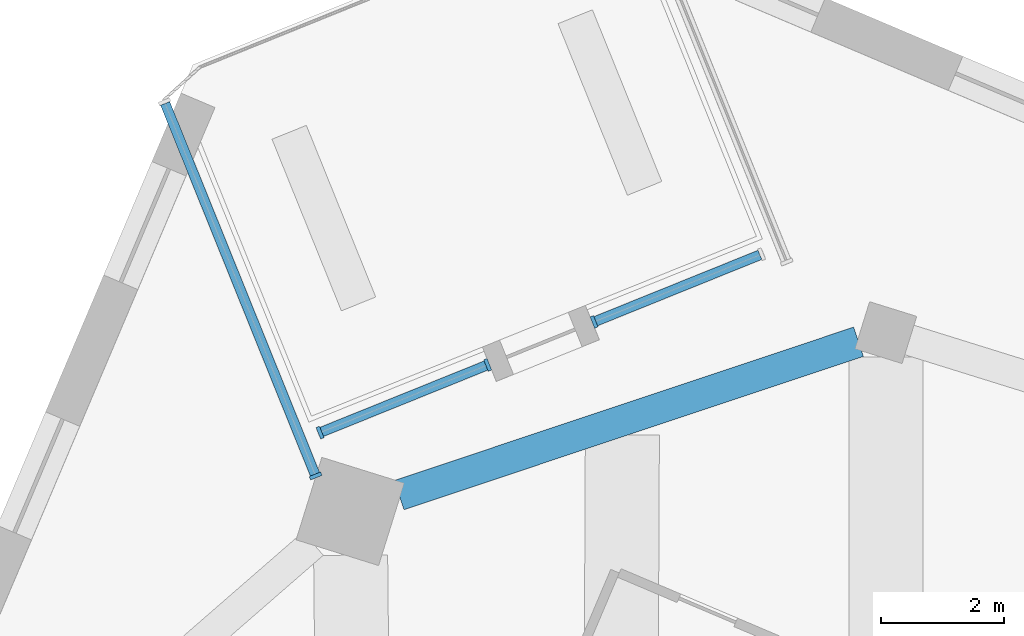
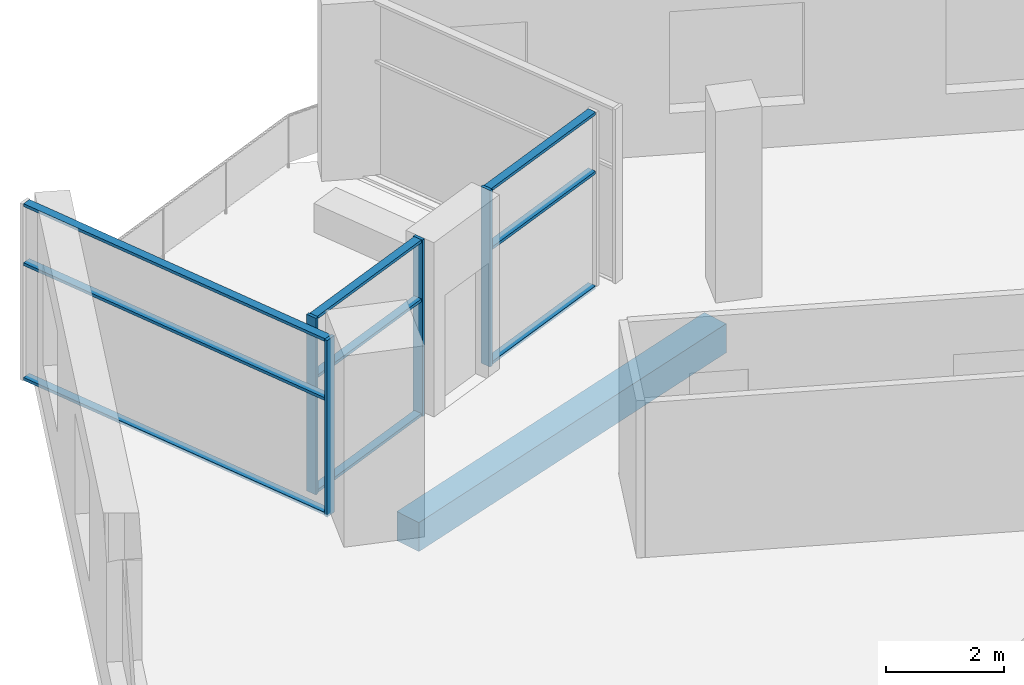
# One storey, part 2 of 13: 13 members, 1 beam, 3 elements without a shape of their own.
"""IFC4 building model written with IfcOpenShell, lengths in metres."""

from ifc_helpers import new_model, si_unit, direction, frame, origin, origin_2d, place, context, subcontext, project, spatial, rectangle, extrude, material, material_profile, profile_set, type_object, element, aggregate, save


model = new_model("IFC4")

# Units and contexts
model_context = context("Model", 3, precision=1e-05, world=origin(), true_north=direction((0.0, 1.0)))
body_context = subcontext(model_context, "Body", "Model", "MODEL_VIEW")
ifc_project = project(units=[si_unit("LENGTHUNIT", "METRE"), si_unit("AREAUNIT", "SQUARE_METRE"), si_unit("VOLUMEUNIT", "CUBIC_METRE"), si_unit("PLANEANGLEUNIT", "RADIAN"), si_unit("MASSUNIT", "GRAM", prefix="KILO")], contexts=[model_context])

# Site, building, storey
site_placement = place(None, origin())
site = spatial("IfcSite", under=ifc_project, at=site_placement, CompositionType="ELEMENT")
building_placement = place(site_placement, origin())
building = spatial("IfcBuilding", under=site, at=building_placement, Name="Dilmun Exchange Tower", CompositionType="ELEMENT")
storey_placement = place(building_placement, frame((0.0, 0.0, 300.5)))
storey = spatial("IfcBuildingStorey", under=building, at=storey_placement, Name="L71", CompositionType="ELEMENT", Elevation=300.5)

# Curtain wall, member
ifc_material_1 = material(Name="Anodised aluminium and clear glass", Category="aluminium")
curtain_wall_type = type_object("IfcCurtainWallType", Name="Garden corner glazing", PredefinedType="NOTDEFINED", material=ifc_material_1)
curtain_wall_1_placement = place(storey_placement, origin())
curtain_wall_1 = element("IfcCurtainWall", 1, at=curtain_wall_1_placement, inside=storey, type_object=curtain_wall_type, Name="Garden corner glazing run GC2.1", PredefinedType="NOTDEFINED")
ifc_material_2 = material(Name="Anodised aluminium", Category="aluminium")
ifc_material_profile_1 = material_profile(ifc_material_2, rectangle(XDim=0.199951171875, YDim=0.06005859375, at=origin_2d()), Name="AL 60x200")
ifc_profile_set_1 = profile_set([ifc_material_profile_1], Name="Anodised aluminium")
member_type_1 = type_object("IfcMemberType", Name="Garden corner glazing mullion 60 x 200", PredefinedType="MULLION", material=ifc_profile_set_1)
member_1_placement = place(storey_placement, frame((-8.5849609375, 29.39404296875, 0.0), z_axis=(0.0, 0.0, 1.0), x_axis=(0.374589715698, -0.927190673429, 0.0)))
member_1 = element("IfcMember", 2, at=member_1_placement, type_object=member_type_1, Name="GC2.1 mullion 2", PredefinedType="MULLION", context=body_context, shape_type="SweptSolid", body=[
    extrude(rectangle(XDim=0.199951171875, YDim=0.06005859375, at=origin_2d()), origin(), (0.0, 0.0, 1.0), 3.64990234375),
])

# Curtain wall, members
curtain_wall_2_placement = place(storey_placement, origin())
curtain_wall_2 = element("IfcCurtainWall", 3, at=curtain_wall_2_placement, inside=storey, type_object=curtain_wall_type, Name="Garden corner glazing run GC2.3", PredefinedType="NOTDEFINED")
member_2_placement = place(storey_placement, frame((-10.3095703125, 28.697265625, 0.0), z_axis=(0.0, 0.0, 1.0), x_axis=(0.374601335291, -0.92718597897, 0.0)))
member_2 = element("IfcMember", 4, at=member_2_placement, type_object=member_type_1, Name="GC2.3 mullion 1", PredefinedType="MULLION", context=body_context, shape_type="SweptSolid", body=[
    extrude(rectangle(XDim=0.199951171875, YDim=0.06005859375, at=origin_2d()), origin(), (0.0, 0.0, 1.0), 3.64990234375),
])
member_3_placement = place(storey_placement, frame((-13.025390625, 27.599853515625, 0.0), z_axis=(0.0, 0.0, 1.0), x_axis=(0.374601335291, -0.92718597897, 0.0)))
member_3 = element("IfcMember", 5, at=member_3_placement, type_object=member_type_1, Name="GC2.3 mullion 2", PredefinedType="MULLION", context=body_context, shape_type="SweptSolid", body=[
    extrude(rectangle(XDim=0.199951171875, YDim=0.06005859375, at=origin_2d()), origin(), (0.0, 0.0, 1.0), 3.64990234375),
])

# Curtain wall, member
curtain_wall_3_placement = place(storey_placement, origin())
curtain_wall_3 = element("IfcCurtainWall", 6, at=curtain_wall_3_placement, inside=storey, type_object=curtain_wall_type, Name="Garden corner glazing run GC3.1", PredefinedType="NOTDEFINED")
member_4_placement = place(storey_placement, frame((-13.097412109375, 26.8974609375, 0.0), z_axis=(0.0, 0.0, 1.0), x_axis=(-0.92718072373, -0.374614342415, 0.0)))
member_4 = element("IfcMember", 7, at=member_4_placement, type_object=member_type_1, Name="GC3.1 mullion 1", PredefinedType="MULLION", context=body_context, shape_type="SweptSolid", body=[
    extrude(rectangle(XDim=0.199951171875, YDim=0.06005859375, at=origin_2d()), origin(), (0.0, 0.0, 1.0), 3.64990234375),
])

# Member
ifc_material_profile_2 = material_profile(ifc_material_2, rectangle(XDim=0.159912109375, YDim=0.06005859375, at=origin_2d()), Name="AL 60x160")
ifc_profile_set_2 = profile_set([ifc_material_profile_2], Name="Anodised aluminium")
member_type_2 = type_object("IfcMemberType", Name="Garden corner glazing transom 60 x 160", PredefinedType="USERDEFINED", material=ifc_profile_set_2)
member_5_placement = place(storey_placement, frame((-5.89697265625, 30.47998046875, 0.030029296875), z_axis=(-0.927191827251, -0.374586859725, 0.0), x_axis=(0.374586859725, -0.927191827251, 0.0)))
member_5 = element("IfcMember", 8, at=member_5_placement, type_object=member_type_2, Name="GC2.1 transom 1.1", ObjectType="TRANSOM", PredefinedType="USERDEFINED", context=body_context, shape_type="SweptSolid", body=[
    extrude(rectangle(XDim=0.159912109375, YDim=0.06005859375, at=origin_2d()), origin(), (0.0, 0.0, 1.0), 2.869140625),
])

member_6_placement = place(storey_placement, frame((-5.89697265625, 30.47998046875, 2.39990234375), z_axis=(-0.927191827251, -0.374586859725, 0.0), x_axis=(0.374586859725, -0.927191827251, 0.0)))
member_6 = element("IfcMember", 9, at=member_6_placement, type_object=member_type_2, Name="GC2.1 transom 1.2", ObjectType="TRANSOM", PredefinedType="USERDEFINED", context=body_context, shape_type="SweptSolid", body=[
    extrude(rectangle(XDim=0.159912109375, YDim=0.06005859375, at=origin_2d()), origin(), (0.0, 0.0, 1.0), 2.869140625),
])

member_7_placement = place(storey_placement, frame((-5.89697265625, 30.47998046875, 3.6201171875), z_axis=(-0.927191827251, -0.374586859725, 0.0), x_axis=(0.374586859725, -0.927191827251, 0.0)))
member_7 = element("IfcMember", 10, at=member_7_placement, type_object=member_type_2, Name="GC2.1 transom 1.3", ObjectType="TRANSOM", PredefinedType="USERDEFINED", context=body_context, shape_type="SweptSolid", body=[
    extrude(rectangle(XDim=0.159912109375, YDim=0.06005859375, at=origin_2d()), origin(), (0.0, 0.0, 1.0), 2.869140625),
])

aggregate(curtain_wall_1, [member_1, member_5, member_6, member_7])

member_8_placement = place(storey_placement, frame((-10.33740234375, 28.68603515625, 0.030029296875), z_axis=(-0.927162270738, -0.374660010835, 0.0), x_axis=(0.374660010835, -0.927162270738, 0.0)))
member_8 = element("IfcMember", 11, at=member_8_placement, type_object=member_type_2, Name="GC2.3 transom 1.1", ObjectType="TRANSOM", PredefinedType="USERDEFINED", context=body_context, shape_type="SweptSolid", body=[
    extrude(rectangle(XDim=0.159912109375, YDim=0.06005859375, at=origin_2d()), origin(), (0.0, 0.0, 1.0), 2.869140625),
])

member_9_placement = place(storey_placement, frame((-10.33740234375, 28.68603515625, 2.39990234375), z_axis=(-0.927162270738, -0.374660010835, 0.0), x_axis=(0.374660010835, -0.927162270738, 0.0)))
member_9 = element("IfcMember", 12, at=member_9_placement, type_object=member_type_2, Name="GC2.3 transom 1.2", ObjectType="TRANSOM", PredefinedType="USERDEFINED", context=body_context, shape_type="SweptSolid", body=[
    extrude(rectangle(XDim=0.159912109375, YDim=0.06005859375, at=origin_2d()), origin(), (0.0, 0.0, 1.0), 2.869140625),
])

member_10_placement = place(storey_placement, frame((-10.33740234375, 28.68603515625, 3.6201171875), z_axis=(-0.927162270738, -0.374660010835, 0.0), x_axis=(0.374660010835, -0.927162270738, 0.0)))
member_10 = element("IfcMember", 13, at=member_10_placement, type_object=member_type_2, Name="GC2.3 transom 1.3", ObjectType="TRANSOM", PredefinedType="USERDEFINED", context=body_context, shape_type="SweptSolid", body=[
    extrude(rectangle(XDim=0.159912109375, YDim=0.06005859375, at=origin_2d()), origin(), (0.0, 0.0, 1.0), 2.869140625),
])

aggregate(curtain_wall_2, [member_2, member_3, member_8, member_9, member_10])

member_11_placement = place(storey_placement, frame((-13.108642578125, 26.92529296875, 0.030029296875), z_axis=(-0.374610043428, 0.927182460664, 0.0), x_axis=(-0.927182460664, -0.374610043428, 0.0)))
member_11 = element("IfcMember", 14, at=member_11_placement, type_object=member_type_2, Name="GC3.1 transom 1.1", ObjectType="TRANSOM", PredefinedType="USERDEFINED", context=body_context, shape_type="SweptSolid", body=[
    extrude(rectangle(XDim=0.159912109375, YDim=0.06005859375, at=origin_2d()), origin(), (0.0, 0.0, 1.0), 6.480712890625),
])

member_12_placement = place(storey_placement, frame((-13.108642578125, 26.92529296875, 2.39990234375), z_axis=(-0.374610043428, 0.927182460664, 0.0), x_axis=(-0.927182460664, -0.374610043428, 0.0)))
member_12 = element("IfcMember", 15, at=member_12_placement, type_object=member_type_2, Name="GC3.1 transom 1.2", ObjectType="TRANSOM", PredefinedType="USERDEFINED", context=body_context, shape_type="SweptSolid", body=[
    extrude(rectangle(XDim=0.159912109375, YDim=0.06005859375, at=origin_2d()), origin(), (0.0, 0.0, 1.0), 6.480712890625),
])

member_13_placement = place(storey_placement, frame((-13.108642578125, 26.92529296875, 3.6201171875), z_axis=(-0.374610043428, 0.927182460664, 0.0), x_axis=(-0.927182460664, -0.374610043428, 0.0)))
member_13 = element("IfcMember", 16, at=member_13_placement, type_object=member_type_2, Name="GC3.1 transom 1.3", ObjectType="TRANSOM", PredefinedType="USERDEFINED", context=body_context, shape_type="SweptSolid", body=[
    extrude(rectangle(XDim=0.159912109375, YDim=0.06005859375, at=origin_2d()), origin(), (0.0, 0.0, 1.0), 6.480712890625),
])

aggregate(curtain_wall_3, [member_4, member_11, member_12, member_13])

# Beam
ifc_material_3 = material(Name="Concrete C40/50", Category="concrete")
ifc_material_profile_3 = material_profile(ifc_material_3, rectangle(XDim=0.5, YDim=0.60009765625, at=origin_2d()), Name="500 x 600")
ifc_profile_set_3 = profile_set([ifc_material_profile_3], Name="Concrete C40/50")
beam_type = type_object("IfcBeamType", Name="RC ring beam 500 x 600 C40/50", PredefinedType="SPANDREL", material=ifc_profile_set_3)
beam_placement = place(storey_placement, frame((-4.298095703125, 29.072509765625, -0.64990234375), z_axis=(-0.94854014246, -0.316656909198, 0.0), x_axis=(0.316656909198, -0.94854014246, 0.0)))
element("IfcBeam", 17, at=beam_placement, inside=storey, type_object=beam_type, Name="Ring beam 16", PredefinedType="SPANDREL", context=body_context, shape_type="SweptSolid", body=[
    extrude(rectangle(XDim=0.5, YDim=0.60009765625, at=origin_2d()), origin(), (0.0, 0.0, 1.0), 7.850341796875),
])

save(model, "model.ifc")
